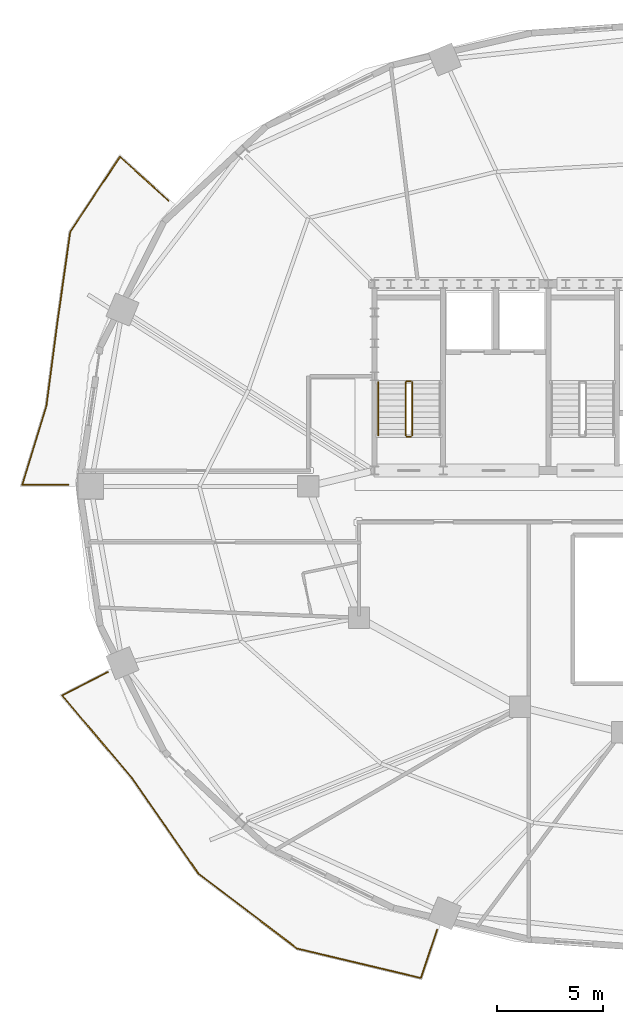
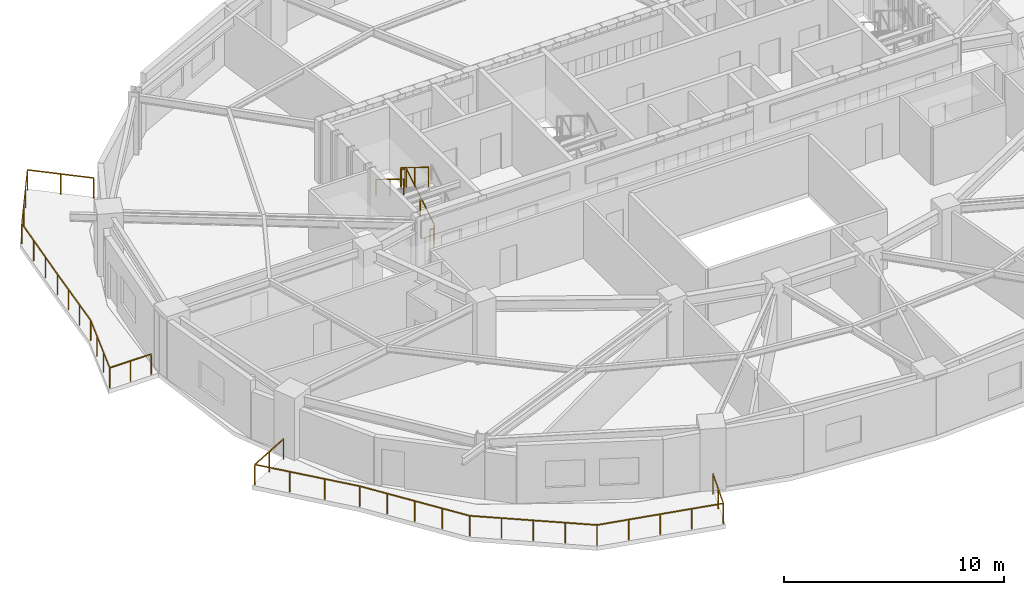
# One storey, part 7 of 11: 7 railings.
"""IFC4 building model written with IfcOpenShell, lengths in metres."""

from ifc_helpers import new_model, si_unit, direction, frame, origin, origin_2d, place, context, subcontext, project, spatial, rectangle, extrude, material, type_object, element, save


model = new_model("IFC4")

# Units and contexts
model_context = context("Model", 3, precision=1e-05, world=origin(), true_north=direction((0.0, 1.0)))
body_context = subcontext(model_context, "Body", "Model", "MODEL_VIEW")
ifc_project = project(units=[si_unit("LENGTHUNIT", "METRE"), si_unit("AREAUNIT", "SQUARE_METRE"), si_unit("VOLUMEUNIT", "CUBIC_METRE"), si_unit("PLANEANGLEUNIT", "RADIAN"), si_unit("MASSUNIT", "GRAM", prefix="KILO")], contexts=[model_context])

# Site, building, storey
site_placement = place(None, origin())
site = spatial("IfcSite", under=ifc_project, at=site_placement, CompositionType="ELEMENT")
building_placement = place(site_placement, origin())
building = spatial("IfcBuilding", under=site, at=building_placement, Name="Haldorwick Loom Tower", CompositionType="ELEMENT")
storey_placement = place(building_placement, frame((0.0, 0.0, 204.85009765625)))
storey = spatial("IfcBuildingStorey", under=building, at=storey_placement, Name="L55", CompositionType="ELEMENT", Elevation=204.85009765625)

# Railings
ifc_material_1 = material(Name="Galvanized Steel CSA G40.21 350W", Category="steel")
railing_type_1 = type_object("IfcRailingType", Name="ARC-RLG-BAL115", PredefinedType="BALUSTRADE", material=ifc_material_1)
railing_1_placement = place(storey_placement, frame((24.88037109375, 5.080810546875, 0.0)))
element("IfcRailing", 1, at=railing_1_placement, inside=storey, type_object=railing_type_1, Name="L55 Outdoor Terrace Guardrail SLB-L55-BAL_SW-1", PredefinedType="BALUSTRADE", context=body_context, shape_type="SweptSolid", body=[
    extrude(rectangle(XDim=0.048095703125, YDim=0.048095703125, at=origin_2d()), frame((0.0, 0.0, 1.1259765625), z_axis=(-0.318240849925, -0.948009895222, 0.0), x_axis=(0.948009895222, -0.318240849925, 0.0)), (0.0, 0.0, 1.0), 2.400390625),
    extrude(rectangle(XDim=0.048095703125, YDim=0.048095703125, at=origin_2d()), frame((-0.763916015625, -2.275634765625, 1.1259765625), z_axis=(-0.972838087767, 0.231486619462, 0.0), x_axis=(-0.231486619462, -0.972838087767, 0.0)), (0.0, 0.0, 1.0), 5.997802734375),
    extrude(rectangle(XDim=0.048095703125, YDim=0.048095703125, at=origin_2d()), frame((-6.598876953125, -0.88720703125, 1.1259765625), z_axis=(-0.796789098947, 0.604257504546, 0.0), x_axis=(-0.604257504546, -0.796789098947, 0.0)), (0.0, 0.0, 1.0), 5.842041015625),
    extrude(rectangle(XDim=0.048095703125, YDim=0.048095703125, at=origin_2d()), frame((-11.253662109375, 2.642822265625, 1.1259765625), z_axis=(-0.571239236468, 0.820783610168, 0.0), x_axis=(-0.820783610168, -0.571239236468, 0.0)), (0.0, 0.0, 1.0), 5.525634765625),
    extrude(rectangle(XDim=0.048095703125, YDim=0.048095703125, at=origin_2d()), frame((-14.41015625, 7.17822265625, 1.1259765625), z_axis=(-0.620702944366, 0.784045824462, 0.0), x_axis=(-0.784045824462, -0.620702944366, 0.0)), (0.0, 0.0, 1.0), 0.007568359375),
    extrude(rectangle(XDim=0.048095703125, YDim=0.048095703125, at=origin_2d()), frame((-14.414794921875, 7.18408203125, 1.1259765625), z_axis=(-0.645723989274, 0.763570906777, 0.0), x_axis=(-0.763570906777, -0.645723989274, 0.0)), (0.0, 0.0, 1.0), 5.065185546875),
    extrude(rectangle(XDim=0.048095703125, YDim=0.048095703125, at=origin_2d()), frame((-17.685546875, 11.0517578125, 1.1259765625), z_axis=(0.889533646381, 0.456869666267, 0.0), x_axis=(-0.456869666267, 0.889533646381, 0.0)), (0.0, 0.0, 1.0), 2.41064453125),
    extrude(rectangle(XDim=0.0419921875, YDim=0.0419921875, at=origin_2d()), origin(), (0.0, 0.0, 1.0), 1.101806640625),
    extrude(rectangle(XDim=0.0419921875, YDim=0.0419921875, at=origin_2d()), frame((-0.3818359375, -1.1376953125, 0.0)), (0.0, 0.0, 1.0), 1.101806640625),
    extrude(rectangle(XDim=0.0419921875, YDim=0.0419921875, at=origin_2d()), frame((-0.763916015625, -2.275634765625, 0.0)), (0.0, 0.0, 1.0), 1.101806640625),
    extrude(rectangle(XDim=0.0419921875, YDim=0.0419921875, at=origin_2d()), frame((-2.22265625, -1.928466796875, 0.0)), (0.0, 0.0, 1.0), 1.101806640625),
    extrude(rectangle(XDim=0.0419921875, YDim=0.0419921875, at=origin_2d()), frame((-3.681396484375, -1.58154296875, 0.0)), (0.0, 0.0, 1.0), 1.101806640625),
    extrude(rectangle(XDim=0.0419921875, YDim=0.0419921875, at=origin_2d()), frame((-5.14013671875, -1.234375, 0.0)), (0.0, 0.0, 1.0), 1.101806640625),
    extrude(rectangle(XDim=0.0419921875, YDim=0.0419921875, at=origin_2d()), frame((-6.598876953125, -0.88720703125, 0.0)), (0.0, 0.0, 1.0), 1.101806640625),
    extrude(rectangle(XDim=0.0419921875, YDim=0.0419921875, at=origin_2d()), frame((-7.7626953125, -0.004638671875, 0.0)), (0.0, 0.0, 1.0), 1.101806640625),
    extrude(rectangle(XDim=0.0419921875, YDim=0.0419921875, at=origin_2d()), frame((-8.92626953125, 0.8779296875, 0.0)), (0.0, 0.0, 1.0), 1.101806640625),
    extrude(rectangle(XDim=0.0419921875, YDim=0.0419921875, at=origin_2d()), frame((-10.08984375, 1.76025390625, 0.0)), (0.0, 0.0, 1.0), 1.101806640625),
    extrude(rectangle(XDim=0.0419921875, YDim=0.0419921875, at=origin_2d()), frame((-11.253662109375, 2.642822265625, 0.0)), (0.0, 0.0, 1.0), 1.101806640625),
    extrude(rectangle(XDim=0.0419921875, YDim=0.0419921875, at=origin_2d()), frame((-12.042724609375, 3.776611328125, 0.0)), (0.0, 0.0, 1.0), 1.101806640625),
    extrude(rectangle(XDim=0.0419921875, YDim=0.0419921875, at=origin_2d()), frame((-12.83203125, 4.91064453125, 0.0)), (0.0, 0.0, 1.0), 1.101806640625),
    extrude(rectangle(XDim=0.0419921875, YDim=0.0419921875, at=origin_2d()), frame((-13.62109375, 6.04443359375, 0.0)), (0.0, 0.0, 1.0), 1.101806640625),
    extrude(rectangle(XDim=0.0419921875, YDim=0.0419921875, at=origin_2d()), frame((-14.41015625, 7.17822265625, 0.0)), (0.0, 0.0, 1.0), 1.101806640625),
    extrude(rectangle(XDim=0.0419921875, YDim=0.0419921875, at=origin_2d()), frame((-15.505126953125, 8.473388671875, 0.0)), (0.0, 0.0, 1.0), 1.101806640625),
    extrude(rectangle(XDim=0.0419921875, YDim=0.0419921875, at=origin_2d()), frame((-16.59521484375, 9.762451171875, 0.0)), (0.0, 0.0, 1.0), 1.101806640625),
    extrude(rectangle(XDim=0.0419921875, YDim=0.0419921875, at=origin_2d()), frame((-17.685546875, 11.0517578125, 0.0)), (0.0, 0.0, 1.0), 1.101806640625),
    extrude(rectangle(XDim=0.0419921875, YDim=0.0419921875, at=origin_2d()), frame((-16.61328125, 11.6025390625, 0.0)), (0.0, 0.0, 1.0), 1.101806640625),
    extrude(rectangle(XDim=0.0419921875, YDim=0.0419921875, at=origin_2d()), frame((-15.541259765625, 12.153076171875, 0.0)), (0.0, 0.0, 1.0), 1.101806640625),
])
railing_2_placement = place(storey_placement, frame((7.490478515625, 26.080078125, 0.0)))
element("IfcRailing", 2, at=railing_2_placement, inside=storey, type_object=railing_type_1, Name="L55 Outdoor Terrace Guardrail SLB-L55-BAL_WNW-1", PredefinedType="BALUSTRADE", context=body_context, shape_type="SweptSolid", body=[
    extrude(rectangle(XDim=0.048095703125, YDim=0.048095703125, at=origin_2d()), frame((0.0, 0.0, 1.1259765625), z_axis=(-1.0, 0.0, 0.0), x_axis=(0.0, -1.0, 0.0)), (0.0, 0.0, 1.0), 2.1787109375),
    extrude(rectangle(XDim=0.048095703125, YDim=0.048095703125, at=origin_2d()), frame((-2.1787109375, 0.0, 1.1259765625), z_axis=(0.293176105351, 0.95605845598, 0.0), x_axis=(-0.95605845598, 0.293176105351, 0.0)), (0.0, 0.0, 1.0), 3.866455078125),
    extrude(rectangle(XDim=0.048095703125, YDim=0.048095703125, at=origin_2d()), frame((-1.045166015625, 3.696533203125, 1.1259765625), z_axis=(0.250962158784, 0.967996898166, 0.0), x_axis=(-0.967996898166, 0.250962158784, 0.0)), (0.0, 0.0, 1.0), 0.0068359375),
    extrude(rectangle(XDim=0.048095703125, YDim=0.048095703125, at=origin_2d()), frame((-1.04345703125, 3.703125, 1.1259765625), z_axis=(0.146548661089, 0.989203462354, 0.0), x_axis=(-0.989203462354, 0.146548661089, 0.0)), (0.0, 0.0, 1.0), 0.006591796875),
    extrude(rectangle(XDim=0.048095703125, YDim=0.048095703125, at=origin_2d()), frame((-1.04248046875, 3.709716796875, 1.1259765625), z_axis=(0.130753087652, 0.99141496361, 0.0), x_axis=(-0.99141496361, 0.130753087652, 0.0)), (0.0, 0.0, 1.0), 3.93408203125),
    extrude(rectangle(XDim=0.048095703125, YDim=0.048095703125, at=origin_2d()), frame((-0.528076171875, 7.610107421875, 1.1259765625), z_axis=(0.139825888885, 0.990176105952, 0.0), x_axis=(-0.990176105952, 0.139825888885, 0.0)), (0.0, 0.0, 1.0), 4.349365234375),
    extrude(rectangle(XDim=0.048095703125, YDim=0.048095703125, at=origin_2d()), frame((0.080078125, 11.916748046875, 1.1259765625), z_axis=(0.551523550629, 0.834159321174, 0.0), x_axis=(-0.834159321174, 0.551523550629, 0.0)), (0.0, 0.0, 1.0), 4.261962890625),
    extrude(rectangle(XDim=0.048095703125, YDim=0.048095703125, at=origin_2d()), frame((2.4306640625, 15.471923828125, 1.1259765625), z_axis=(0.74160133196, -0.670840863719, 0.0), x_axis=(0.670840863719, 0.74160133196, 0.0)), (0.0, 0.0, 1.0), 3.087890625),
    extrude(rectangle(XDim=0.0419921875, YDim=0.0419921875, at=origin_2d()), origin(), (0.0, 0.0, 1.0), 1.101806640625),
    extrude(rectangle(XDim=0.0419921875, YDim=0.0419921875, at=origin_2d()), frame((-1.08935546875, 0.0, 0.0)), (0.0, 0.0, 1.0), 1.101806640625),
    extrude(rectangle(XDim=0.0419921875, YDim=0.0419921875, at=origin_2d()), frame((-2.1787109375, 0.0, 0.0)), (0.0, 0.0, 1.0), 1.101806640625),
    extrude(rectangle(XDim=0.0419921875, YDim=0.0419921875, at=origin_2d()), frame((-1.80078125, 1.232177734375, 0.0)), (0.0, 0.0, 1.0), 1.101806640625),
    extrude(rectangle(XDim=0.0419921875, YDim=0.0419921875, at=origin_2d()), frame((-1.423095703125, 2.46435546875, 0.0)), (0.0, 0.0, 1.0), 1.101806640625),
    extrude(rectangle(XDim=0.0419921875, YDim=0.0419921875, at=origin_2d()), frame((-1.045166015625, 3.696533203125, 0.0)), (0.0, 0.0, 1.0), 1.101806640625),
    extrude(rectangle(XDim=0.0419921875, YDim=0.0419921875, at=origin_2d()), frame((-0.87109375, 5.009765625, 0.0)), (0.0, 0.0, 1.0), 1.101806640625),
    extrude(rectangle(XDim=0.0419921875, YDim=0.0419921875, at=origin_2d()), frame((-0.699462890625, 6.31005859375, 0.0)), (0.0, 0.0, 1.0), 1.101806640625),
    extrude(rectangle(XDim=0.0419921875, YDim=0.0419921875, at=origin_2d()), frame((-0.528076171875, 7.610107421875, 0.0)), (0.0, 0.0, 1.0), 1.101806640625),
    extrude(rectangle(XDim=0.0419921875, YDim=0.0419921875, at=origin_2d()), frame((-0.325439453125, 9.045654296875, 0.0)), (0.0, 0.0, 1.0), 1.101806640625),
    extrude(rectangle(XDim=0.0419921875, YDim=0.0419921875, at=origin_2d()), frame((-0.12255859375, 10.481201171875, 0.0)), (0.0, 0.0, 1.0), 1.101806640625),
    extrude(rectangle(XDim=0.0419921875, YDim=0.0419921875, at=origin_2d()), frame((0.080078125, 11.916748046875, 0.0)), (0.0, 0.0, 1.0), 1.101806640625),
    extrude(rectangle(XDim=0.0419921875, YDim=0.0419921875, at=origin_2d()), frame((0.863525390625, 13.101806640625, 0.0)), (0.0, 0.0, 1.0), 1.101806640625),
    extrude(rectangle(XDim=0.0419921875, YDim=0.0419921875, at=origin_2d()), frame((1.647216796875, 14.286865234375, 0.0)), (0.0, 0.0, 1.0), 1.101806640625),
    extrude(rectangle(XDim=0.0419921875, YDim=0.0419921875, at=origin_2d()), frame((2.4306640625, 15.471923828125, 0.0)), (0.0, 0.0, 1.0), 1.101806640625),
    extrude(rectangle(XDim=0.0419921875, YDim=0.0419921875, at=origin_2d()), frame((3.57568359375, 14.43603515625, 0.0)), (0.0, 0.0, 1.0), 1.101806640625),
    extrude(rectangle(XDim=0.0419921875, YDim=0.0419921875, at=origin_2d()), frame((4.720703125, 13.400390625, 0.0)), (0.0, 0.0, 1.0), 1.101806640625),
])
ifc_material_2 = material(Name="Steel CSA G40.21 350W", Category="steel")
railing_type_2 = type_object("IfcRailingType", Name="ARC-RLG-GUARD112", PredefinedType="GUARDRAIL", material=ifc_material_2)
railing_3_placement = place(storey_placement, frame((23.699951171875, 28.39990234375, 0.17236328125)))
element("IfcRailing", 3, at=railing_3_placement, inside=storey, type_object=railing_type_2, Name="L55 ST-01 stair guard 1", PredefinedType="GUARDRAIL", context=body_context, shape_type="SweptSolid", body=[
    extrude(rectangle(XDim=0.048095703125, YDim=0.048095703125, at=origin_2d()), frame((0.0, 0.0, 1.076171875), z_axis=(0.0, 0.851400495292, 0.524516154772), x_axis=(-1.0, 0.0, 0.0)), (0.0, 0.0, 1.0), 2.9599609375),
    extrude(rectangle(XDim=0.0419921875, YDim=0.0419921875, at=origin_2d()), origin(), (0.0, 0.0, 1.0), 1.052001953125),
    extrude(rectangle(XDim=0.0419921875, YDim=0.0419921875, at=origin_2d()), frame((0.0, 1.260009765625, 0.7763671875)), (0.0, 0.0, 1.0), 1.052001953125),
    extrude(rectangle(XDim=0.0419921875, YDim=0.0419921875, at=origin_2d()), frame((0.0, 2.52001953125, 1.552490234375)), (0.0, 0.0, 1.0), 1.052001953125),
])
railing_4_placement = place(storey_placement, frame((23.64990234375, 30.969970703125, 1.724853515625)))
element("IfcRailing", 4, at=railing_4_placement, inside=storey, type_object=railing_type_2, Name="L55 ST-01 stair guard 2", PredefinedType="GUARDRAIL", context=body_context, shape_type="SweptSolid", body=[
    extrude(rectangle(XDim=0.048095703125, YDim=0.048095703125, at=origin_2d()), frame((0.0, 0.0, 1.076171875), z_axis=(-1.0, 0.0, 0.0), x_axis=(0.0, -1.0, 0.0)), (0.0, 0.0, 1.0), 0.199951171875),
    extrude(rectangle(XDim=0.0419921875, YDim=0.0419921875, at=origin_2d()), origin(), (0.0, 0.0, 1.0), 1.052001953125),
    extrude(rectangle(XDim=0.0419921875, YDim=0.0419921875, at=origin_2d()), frame((-0.199951171875, 0.0, 0.0)), (0.0, 0.0, 1.0), 1.052001953125),
])
railing_5_placement = place(storey_placement, frame((23.39990234375, 30.919921875, 1.8974609375)))
element("IfcRailing", 5, at=railing_5_placement, inside=storey, type_object=railing_type_2, Name="L55 ST-01 stair guard 3", PredefinedType="GUARDRAIL", context=body_context, shape_type="SweptSolid", body=[
    extrude(rectangle(XDim=0.048095703125, YDim=0.048095703125, at=origin_2d()), frame((0.0, 0.0, 1.076171875), z_axis=(0.0, -0.851400495292, 0.524516154772), x_axis=(1.0, 0.0, 0.0)), (0.0, 0.0, 1.0), 2.9599609375),
    extrude(rectangle(XDim=0.0419921875, YDim=0.0419921875, at=origin_2d()), origin(), (0.0, 0.0, 1.0), 1.052001953125),
    extrude(rectangle(XDim=0.0419921875, YDim=0.0419921875, at=origin_2d()), frame((0.0, -1.260009765625, 0.7763671875)), (0.0, 0.0, 1.0), 1.052001953125),
    extrude(rectangle(XDim=0.0419921875, YDim=0.0419921875, at=origin_2d()), frame((0.0, -2.52001953125, 1.552490234375)), (0.0, 0.0, 1.0), 1.052001953125),
])
railing_6_placement = place(storey_placement, frame((23.64990234375, 28.35009765625, 0.0)))
element("IfcRailing", 6, at=railing_6_placement, inside=storey, type_object=railing_type_2, Name="L55 ST-01 stair guard 4", PredefinedType="GUARDRAIL", context=body_context, shape_type="SweptSolid", body=[
    extrude(rectangle(XDim=0.048095703125, YDim=0.048095703125, at=origin_2d()), frame((0.0, 0.0, 1.076171875), z_axis=(-1.0, 0.0, 0.0), x_axis=(0.0, -1.0, 0.0)), (0.0, 0.0, 1.0), 0.199951171875),
    extrude(rectangle(XDim=0.0419921875, YDim=0.0419921875, at=origin_2d()), origin(), (0.0, 0.0, 1.0), 1.052001953125),
    extrude(rectangle(XDim=0.0419921875, YDim=0.0419921875, at=origin_2d()), frame((-0.199951171875, 0.0, 0.0)), (0.0, 0.0, 1.0), 1.052001953125),
])
railing_type_3 = type_object("IfcRailingType", Name="ARC-RLG-HAND092", PredefinedType="HANDRAIL", material=ifc_material_2)
railing_7_placement = place(storey_placement, frame((22.10009765625, 30.919921875, 1.8974609375)))
element("IfcRailing", 7, at=railing_7_placement, inside=storey, type_object=railing_type_3, Name="L55 ST-01 stair handrail 2", PredefinedType="HANDRAIL", context=body_context, shape_type="SweptSolid", body=[
    extrude(rectangle(XDim=0.048095703125, YDim=0.048095703125, at=origin_2d()), frame((0.0, 0.0, 0.8759765625), z_axis=(0.0, -0.851400495292, 0.524516154772), x_axis=(1.0, 0.0, 0.0)), (0.0, 0.0, 1.0), 2.9599609375),
    extrude(rectangle(XDim=0.0419921875, YDim=0.0419921875, at=origin_2d()), origin(), (0.0, 0.0, 1.0), 0.851806640625),
    extrude(rectangle(XDim=0.0419921875, YDim=0.0419921875, at=origin_2d()), frame((0.0, -1.260009765625, 0.7763671875)), (0.0, 0.0, 1.0), 0.851806640625),
    extrude(rectangle(XDim=0.0419921875, YDim=0.0419921875, at=origin_2d()), frame((0.0, -2.52001953125, 1.552490234375)), (0.0, 0.0, 1.0), 0.851806640625),
])

save(model, "model.ifc")
